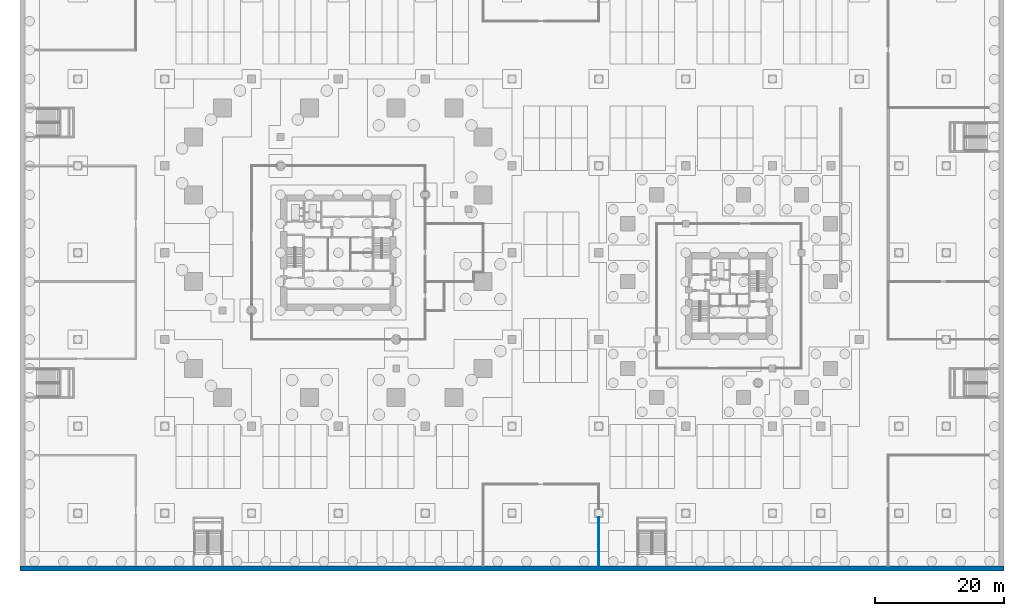
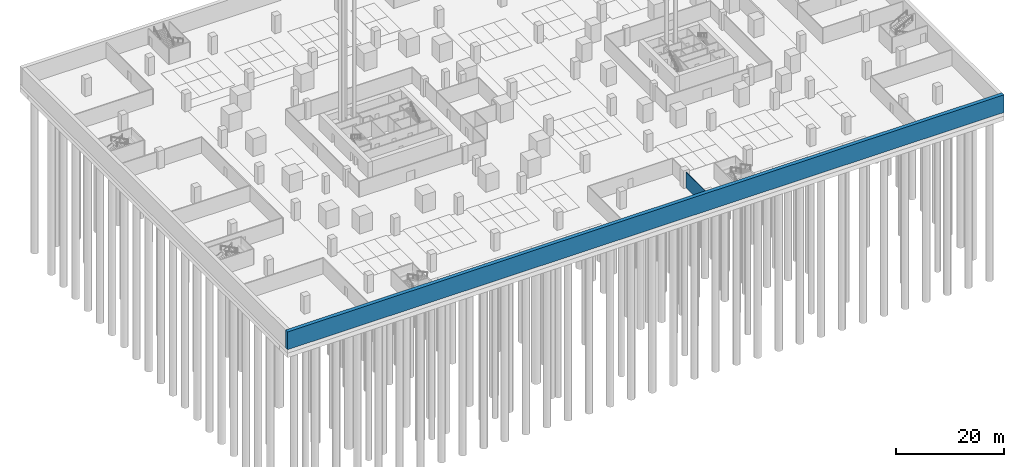
# One storey, part 8 of 40: 2 walls.
"""IFC4 building model written with IfcOpenShell, lengths in metres."""

from ifc_helpers import new_model, si_unit, direction, frame, frame_2d, origin, place, context, subcontext, project, spatial, rectangle, extrude, material, layer, layer_set, type_object, element, save


model = new_model("IFC4")

# Units and contexts
model_context = context("Model", 3, precision=1e-05, world=origin(), true_north=direction((0.0, 1.0)))
body_context = subcontext(model_context, "Body", "Model", "MODEL_VIEW")
ifc_project = project(units=[si_unit("LENGTHUNIT", "METRE"), si_unit("AREAUNIT", "SQUARE_METRE"), si_unit("VOLUMEUNIT", "CUBIC_METRE"), si_unit("PLANEANGLEUNIT", "RADIAN"), si_unit("MASSUNIT", "GRAM", prefix="KILO")], contexts=[model_context])

# Site, building, storey
site_placement = place(None, origin())
site = spatial("IfcSite", under=ifc_project, at=site_placement, CompositionType="ELEMENT")
building_placement = place(site_placement, origin())
building = spatial("IfcBuilding", under=site, at=building_placement, Name="Altepetl Exchange Towers", CompositionType="ELEMENT")
storey_placement = place(building_placement, frame((0.0, 0.0, -8.0)))
storey = spatial("IfcBuildingStorey", under=building, at=storey_placement, Name="B2 Basement parking", CompositionType="ELEMENT", Elevation=-8.0)

# Walls
ifc_material_1 = material(Name="Gypsum board on steel studs", Category="steel")
ifc_layer_1 = layer(ifc_material_1, 0.14990234375)
ifc_layer_set_1 = layer_set([ifc_layer_1], Name="Gypsum board on steel studs")
wall_type_1 = type_object("IfcWallType", Name="Podium partition 150", PredefinedType="PARTITIONING", material=ifc_layer_set_1)
wall_1_placement = place(storey_placement, frame((90.0, 0.800048828125, 0.0), z_axis=(0.0, 0.0, 1.0), x_axis=(0.0, 1.0, 0.0)))
element("IfcWall", 1, at=wall_1_placement, inside=storey, type_object=wall_type_1, Name="wall:P:B2:P012", PredefinedType="PARTITIONING", context=body_context, shape_type="SweptSolid", body=[
    extrude(rectangle(XDim=7.554931640625, YDim=0.14990234375, at=frame_2d((3.77734375, 0.0))), origin(), (0.0, 0.0, 1.0), 3.550048828125),
])
ifc_material_2 = material(Name="Concrete C60/75", Category="concrete")
ifc_layer_2 = layer(ifc_material_2, 0.800048828125)
ifc_layer_set_2 = layer_set([ifc_layer_2], Name="Concrete C60/75")
wall_type_2 = type_object("IfcWallType", Name="Retaining wall 800", PredefinedType="SOLIDWALL", material=ifc_layer_set_2)
wall_2_placement = place(storey_placement, frame((0.0, 0.39990234375, 0.0)))
element("IfcWall", 2, at=wall_2_placement, inside=storey, type_object=wall_type_2, Name="wall:P:B2:retS", PredefinedType="SOLIDWALL", context=body_context, shape_type="SweptSolid", body=[
    extrude(rectangle(XDim=153.0, YDim=0.800048828125, at=frame_2d((76.5, 0.0))), origin(), (0.0, 0.0, 1.0), 4.0),
])

save(model, "model.ifc")
